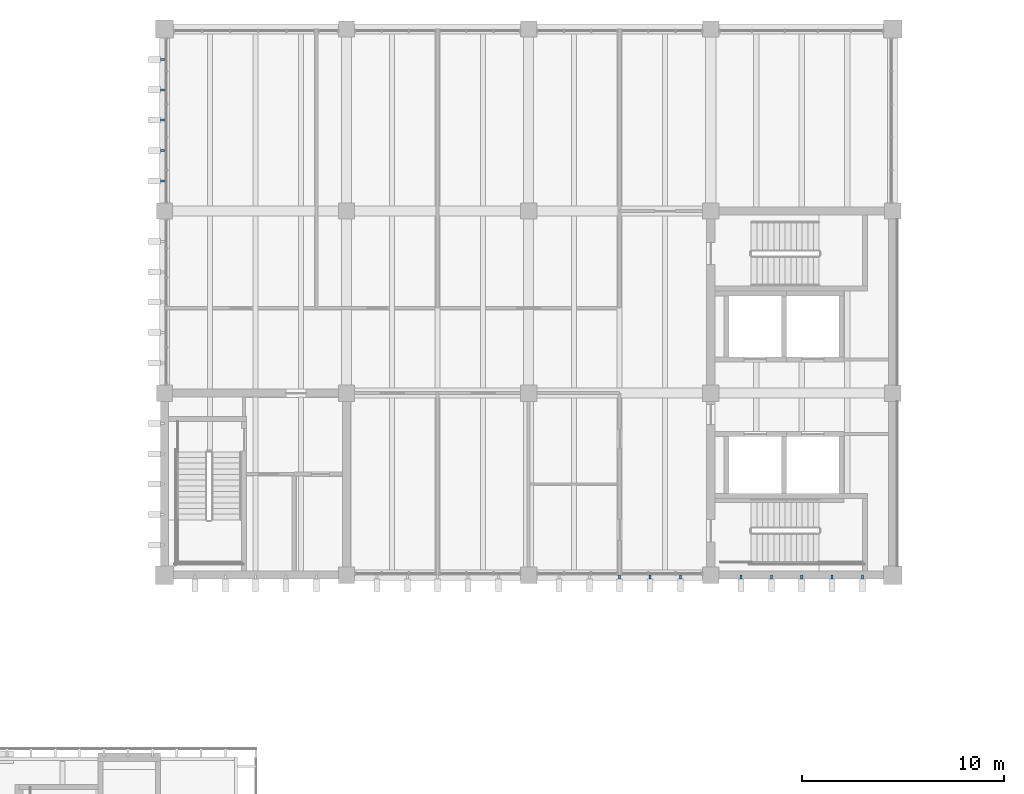
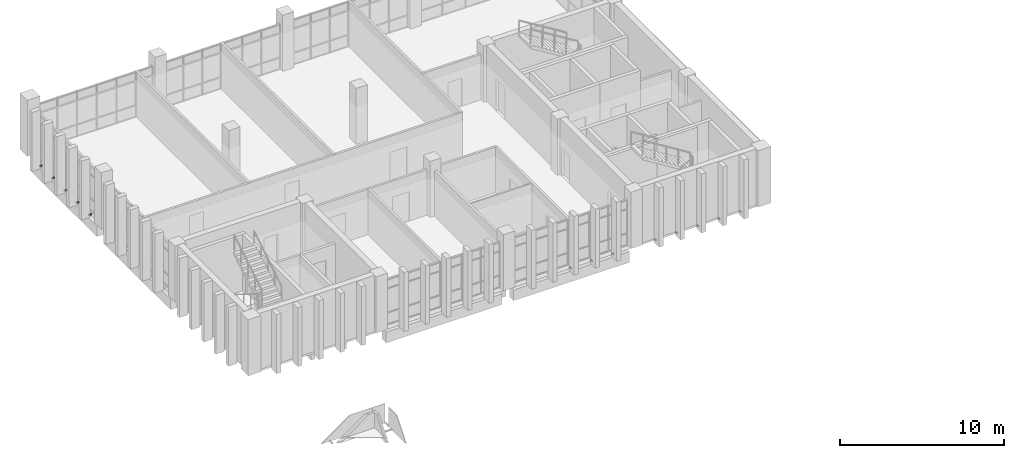
# One storey, part 23 of 29: 13 discrete accessories.
"""IFC4 building model written with IfcOpenShell, lengths in metres."""

from ifc_helpers import new_model, si_unit, direction, frame, origin, place, context, subcontext, project, spatial, polyline, outline, extrude, source, transform, mapped, material, type_object, element, save


model = new_model("IFC4")

# Units and contexts
model_context = context("Model", 3, precision=1e-05, world=origin(), true_north=direction((0.0, 1.0)))
body_context = subcontext(model_context, "Body", "Model", "MODEL_VIEW")
ifc_project = project(units=[si_unit("LENGTHUNIT", "METRE"), si_unit("AREAUNIT", "SQUARE_METRE"), si_unit("VOLUMEUNIT", "CUBIC_METRE"), si_unit("PLANEANGLEUNIT", "RADIAN"), si_unit("MASSUNIT", "GRAM", prefix="KILO")], contexts=[model_context])

# Site, building, storey
site_placement = place(None, origin())
site = spatial("IfcSite", under=ifc_project, at=site_placement, CompositionType="ELEMENT")
building_placement = place(site_placement, origin())
building = spatial("IfcBuilding", under=site, at=building_placement, Name="Merrow Basin Faculty of Sciences", CompositionType="ELEMENT")
storey_placement = place(building_placement, frame((0.0, 0.0, 22.5)))
storey = spatial("IfcBuildingStorey", under=building, at=storey_placement, Name="L05", CompositionType="ELEMENT", Elevation=22.5)

# Discrete accessories
ifc_material = material(Name="Steel ASTM A572 Gr 50", Category="steel")
discrete_accessory_type = type_object("IfcDiscreteAccessoryType", Name="Steel T bracket 100 x 80 fin", PredefinedType="BRACKET", material=ifc_material)
shared_shape = source(origin(), body_context, "Body", "SweptSolid", [
    extrude(outline(polyline([(0.0, 0.0), (0.10009765625, 0.0), (0.10009765625, 0.080078125), (0.0, 0.080078125), (0.0, 0.0)])), origin(), (0.0, 0.0, 1.0), 0.199951171875),
])
for number, where, z_axis, x_axis, name in (
    (1, (40.449951171875, 142.0, -0.199951171875), (0.0, -1.0, 0.0), (1.0, 0.0, 0.0), "Fin bracket SL05"),
    (2, (41.949951171875, 142.0, -0.199951171875), (0.0, -1.0, 0.0), (1.0, 0.0, 0.0), "Fin bracket SL05"),
    (3, (43.449951171875, 142.0, -0.199951171875), (0.0, -1.0, 0.0), (1.0, 0.0, 0.0), "Fin bracket SL05"),
    (4, (46.449951171875, 142.0, -0.199951171875), (0.0, -1.0, 0.0), (1.0, 0.0, 0.0), "Fin bracket SL05"),
    (5, (47.949951171875, 142.0, -0.199951171875), (0.0, -1.0, 0.0), (1.0, 0.0, 0.0), "Fin bracket SL05"),
    (6, (49.449951171875, 142.0, -0.199951171875), (0.0, -1.0, 0.0), (1.0, 0.0, 0.0), "Fin bracket SL05"),
    (7, (50.949951171875, 142.0, -0.199951171875), (0.0, -1.0, 0.0), (1.0, 0.0, 0.0), "Fin bracket SL05"),
    (8, (52.449951171875, 142.0, -0.199951171875), (0.0, -1.0, 0.0), (1.0, 0.0, 0.0), "Fin bracket SL05"),
    (9, (18.0, 161.550048828125, -0.199951171875), (-1.0, 0.0, 0.0), (0.0, -1.0, 0.0), "Fin bracket WL05"),
    (10, (18.0, 163.050048828125, -0.199951171875), (-1.0, 0.0, 0.0), (0.0, -1.0, 0.0), "Fin bracket WL05"),
    (11, (18.0, 164.550048828125, -0.199951171875), (-1.0, 0.0, 0.0), (0.0, -1.0, 0.0), "Fin bracket WL05"),
    (12, (18.0, 166.050048828125, -0.199951171875), (-1.0, 0.0, 0.0), (0.0, -1.0, 0.0), "Fin bracket WL05"),
    (13, (18.0, 167.550048828125, -0.199951171875), (-1.0, 0.0, 0.0), (0.0, -1.0, 0.0), "Fin bracket WL05"),
):
    element("IfcDiscreteAccessory", number, at=place(storey_placement, frame(where, z_axis=z_axis, x_axis=x_axis)), inside=storey, type_object=discrete_accessory_type, Name=name, PredefinedType="BRACKET", context=body_context, shape_type="MappedRepresentation", body=[
        mapped(shared_shape, transform((0.0, 0.0, 0.0), scale=1.0)),
    ])

save(model, "model.ifc")
